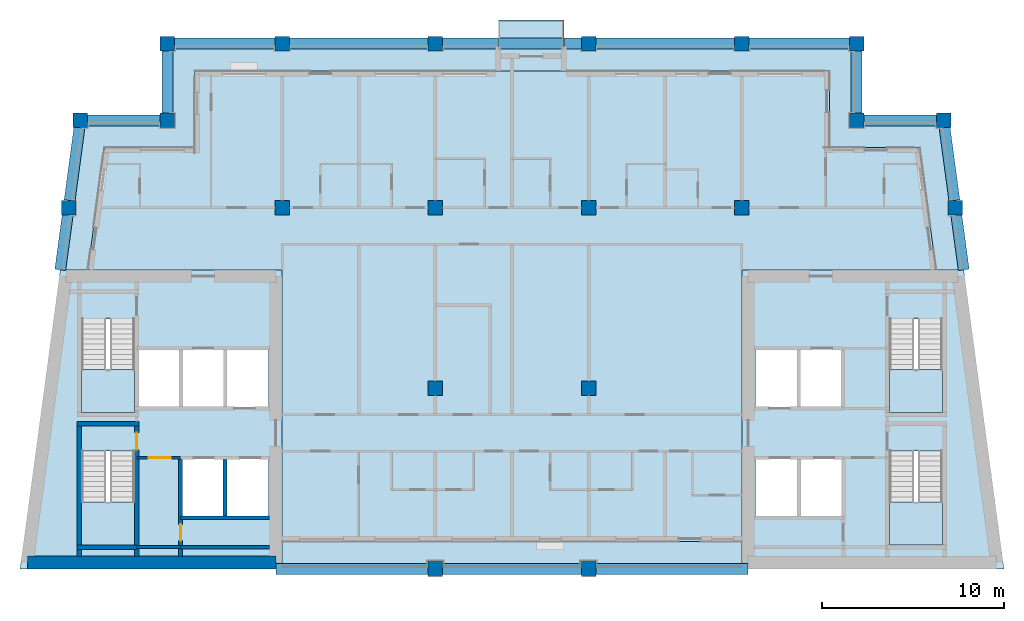
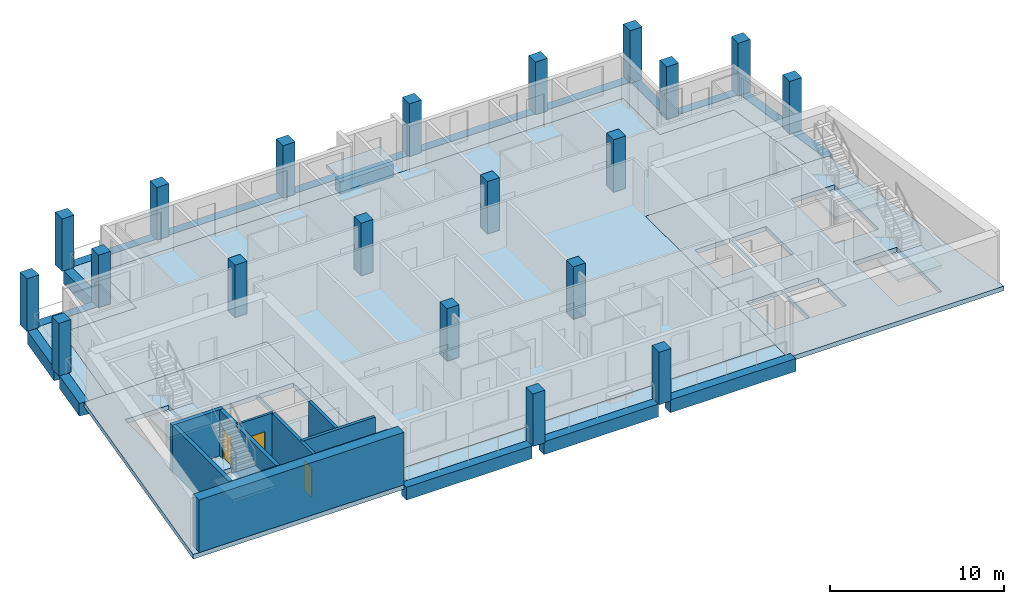
# One storey, part 1 of 10: 20 columns, 18 beams, 11 walls, 10 slabs, 3 doors, 3 openings, 4 elements without a shape of their own.
"""IFC4 building model written with IfcOpenShell, lengths in metres."""

from ifc_helpers import new_model, si_unit, direction, frame, frame_2d, origin, origin_2d, place, context, subcontext, project, spatial, polyline, rectangle, outline, extrude, material, layer, layer_set, material_profile, profile_set, type_object, element, fill, aggregate, save


model = new_model("IFC4")

# Units and contexts
model_context = context("Model", 3, precision=1e-05, world=origin(), true_north=direction((0.0, 1.0)))
body_context = subcontext(model_context, "Body", "Model", "MODEL_VIEW")
ifc_project = project(units=[si_unit("LENGTHUNIT", "METRE"), si_unit("AREAUNIT", "SQUARE_METRE"), si_unit("VOLUMEUNIT", "CUBIC_METRE"), si_unit("PLANEANGLEUNIT", "RADIAN"), si_unit("MASSUNIT", "GRAM", prefix="KILO")], contexts=[model_context])

# Site, building, storey
site_placement = place(None, origin())
site = spatial("IfcSite", under=ifc_project, at=site_placement, CompositionType="ELEMENT")
building_placement = place(site_placement, origin())
building = spatial("IfcBuilding", under=site, at=building_placement, Name="Candeia Pilgrim Tower and Theatre", CompositionType="ELEMENT")
storey_placement = place(building_placement, frame((0.0, 0.0, 299.699951171875)))
storey = spatial("IfcBuildingStorey", under=building, at=storey_placement, Name="L73", CompositionType="ELEMENT", Elevation=299.699951171875)

# Columns
ifc_material_1 = material(Name="Concrete C40/50", Category="concrete")
ifc_material_profile_1 = material_profile(ifc_material_1, rectangle(XDim=0.800048828125, YDim=0.800048828125, at=origin_2d()))
ifc_profile_set_1 = profile_set([ifc_material_profile_1], Name="Concrete C40/50")
column_type = type_object("IfcColumnType", Name="RC 800x800 C40/50", PredefinedType="COLUMN", material=ifc_profile_set_1)
for number, where, z_axis, x_axis, name in (
    (1, (94.5, 140.60009765625, 0.0), (0.0, 0.0, 1.0), (1.0, 0.0, 0.0), "Column NNW"),
    (2, (132.300048828125, 140.60009765625, 0.0), (0.0, 0.0, 1.0), (1.0, 0.0, 0.0), "Column NNE"),
    (3, (89.734619140625, 140.60009765625, 0.0), (0.0, 0.0, 1.0), (1.0, 0.0, 0.0), "Column LNW"),
    (4, (137.0654296875, 140.60009765625, 0.0), (0.0, 0.0, 1.0), (1.0, 0.0, 0.0), "Column LNE"),
    (5, (109.199951171875, 116.0, 0.0), (0.0, 0.0, 1.0), (1.0, 0.0, 0.0), "Column C3"),
    (6, (117.60009765625, 116.0, 0.0), (0.0, 0.0, 1.0), (1.0, 0.0, 0.0), "Column C4"),
    (7, (109.199951171875, 125.89990234375, 0.0), (0.0, 0.0, 1.0), (1.0, 0.0, 0.0), "Column D3"),
    (8, (117.60009765625, 125.89990234375, 0.0), (0.0, 0.0, 1.0), (1.0, 0.0, 0.0), "Column D4"),
    (9, (100.800048828125, 135.800048828125, 0.0), (0.0, 0.0, 1.0), (1.0, 0.0, 0.0), "Column E2"),
    (10, (109.199951171875, 135.800048828125, 0.0), (0.0, 0.0, 1.0), (1.0, 0.0, 0.0), "Column E3"),
    (11, (117.60009765625, 135.800048828125, 0.0), (0.0, 0.0, 1.0), (1.0, 0.0, 0.0), "Column E4"),
    (12, (126.0, 135.800048828125, 0.0), (0.0, 0.0, 1.0), (1.0, 0.0, 0.0), "Column E5"),
    (13, (89.08837890625, 135.800048828125, 0.0), (0.0, 0.0, 1.0), (1.0, 0.0, 0.0), "Column EW"),
    (14, (137.71142578125, 135.800048828125, 0.0), (0.0, 0.0, 1.0), (1.0, 0.0, 0.0), "Column EE"),
    (15, (100.800048828125, 144.800048828125, 0.0), (0.0, 0.0, 1.0), (1.0, 0.0, 0.0), "Column F2"),
    (16, (109.199951171875, 144.800048828125, 0.0), (0.0, 0.0, 1.0), (1.0, 0.0, 0.0), "Column F3"),
    (17, (117.60009765625, 144.800048828125, 0.0), (0.0, 0.0, 1.0), (1.0, 0.0, 0.0), "Column F4"),
    (18, (126.0, 144.800048828125, 0.0), (0.0, 0.0, 1.0), (1.0, 0.0, 0.0), "Column F5"),
    (19, (94.5, 144.800048828125, 0.0), (0.0, 0.0, 1.0), (1.0, 0.0, 0.0), "Column FW"),
    (20, (132.300048828125, 144.800048828125, 0.0), (0.0, 0.0, 1.0), (1.0, 0.0, 0.0), "Column FE"),
):
    element("IfcColumn", number, at=place(storey_placement, frame(where, z_axis=z_axis, x_axis=x_axis)), inside=storey, type_object=column_type, Name=name, PredefinedType="COLUMN", context=body_context, shape_type="SweptSolid", body=[
        extrude(rectangle(XDim=0.800048828125, YDim=0.800048828125, at=origin_2d()), origin(), (0.0, 0.0, 1.0), 3.699951171875),
    ])

# Beams
ifc_material_profile_2 = material_profile(ifc_material_1, rectangle(XDim=0.60009765625, YDim=0.89990234375, at=origin_2d()))
ifc_profile_set_2 = profile_set([ifc_material_profile_2], Name="Concrete C40/50")
beam_type = type_object("IfcBeamType", Name="RC 600x900 C40/50", PredefinedType="BEAM", material=ifc_profile_set_2)
beam_1_placement = place(storey_placement, frame((90.134521484375, 140.60009765625, -0.449951171875), z_axis=(1.0, 0.0, 0.0), x_axis=(0.0, 1.0, 0.0)))
element("IfcBeam", 21, at=beam_1_placement, inside=storey, type_object=beam_type, Name="Spandrel beam L73-01", PredefinedType="BEAM", context=body_context, shape_type="SweptSolid", body=[
    extrude(rectangle(XDim=0.60009765625, YDim=0.89990234375, at=origin_2d()), origin(), (0.0, 0.0, 1.0), 3.965576171875),
])
beam_2_placement = place(storey_placement, frame((94.5, 141.0, -0.449951171875), z_axis=(0.0, 1.0, 0.0), x_axis=(-1.0, 0.0, 0.0)))
element("IfcBeam", 22, at=beam_2_placement, inside=storey, type_object=beam_type, Name="Spandrel beam L73-02", PredefinedType="BEAM", context=body_context, shape_type="SweptSolid", body=[
    extrude(rectangle(XDim=0.60009765625, YDim=0.89990234375, at=origin_2d()), origin(), (0.0, 0.0, 1.0), 3.39990234375),
])
beam_3_placement = place(storey_placement, frame((94.89990234375, 144.800048828125, -0.449951171875), z_axis=(1.0, 0.0, 0.0), x_axis=(0.0, 1.0, 0.0)))
element("IfcBeam", 23, at=beam_3_placement, inside=storey, type_object=beam_type, Name="Spandrel beam L73-03", PredefinedType="BEAM", context=body_context, shape_type="SweptSolid", body=[
    extrude(rectangle(XDim=0.60009765625, YDim=0.89990234375, at=origin_2d()), origin(), (0.0, 0.0, 1.0), 5.5),
])
beam_4_placement = place(storey_placement, frame((101.199951171875, 144.800048828125, -0.449951171875), z_axis=(1.0, 0.0, 0.0), x_axis=(0.0, 1.0, 0.0)))
element("IfcBeam", 24, at=beam_4_placement, inside=storey, type_object=beam_type, Name="Spandrel beam L73-04", PredefinedType="BEAM", context=body_context, shape_type="SweptSolid", body=[
    extrude(rectangle(XDim=0.60009765625, YDim=0.89990234375, at=origin_2d()), origin(), (0.0, 0.0, 1.0), 7.60009765625),
])
beam_5_placement = place(storey_placement, frame((109.60009765625, 144.800048828125, -0.449951171875), z_axis=(1.0, 0.0, 0.0), x_axis=(0.0, 1.0, 0.0)))
element("IfcBeam", 25, at=beam_5_placement, inside=storey, type_object=beam_type, Name="Spandrel beam L73-05", PredefinedType="BEAM", context=body_context, shape_type="SweptSolid", body=[
    extrude(rectangle(XDim=0.60009765625, YDim=0.89990234375, at=origin_2d()), origin(), (0.0, 0.0, 1.0), 3.0498046875),
])
beam_6_placement = place(storey_placement, frame((112.64990234375, 144.800048828125, -0.699951171875), z_axis=(1.0, 0.0, 0.0), x_axis=(0.0, 1.0, 0.0)))
element("IfcBeam", 26, at=beam_6_placement, inside=storey, type_object=beam_type, Name="Spandrel beam L73-06", PredefinedType="BEAM", context=body_context, shape_type="SweptSolid", body=[
    extrude(rectangle(XDim=0.60009765625, YDim=0.89990234375, at=origin_2d()), origin(), (0.0, 0.0, 1.0), 3.60009765625),
])
beam_7_placement = place(storey_placement, frame((116.25, 144.800048828125, -0.449951171875), z_axis=(1.0, 0.0, 0.0), x_axis=(0.0, 1.0, 0.0)))
element("IfcBeam", 27, at=beam_7_placement, inside=storey, type_object=beam_type, Name="Spandrel beam L73-07", PredefinedType="BEAM", context=body_context, shape_type="SweptSolid", body=[
    extrude(rectangle(XDim=0.60009765625, YDim=0.89990234375, at=origin_2d()), origin(), (0.0, 0.0, 1.0), 0.949951171875),
])
beam_8_placement = place(storey_placement, frame((118.0, 144.800048828125, -0.449951171875), z_axis=(1.0, 0.0, 0.0), x_axis=(0.0, 1.0, 0.0)))
element("IfcBeam", 28, at=beam_8_placement, inside=storey, type_object=beam_type, Name="Spandrel beam L73-08", PredefinedType="BEAM", context=body_context, shape_type="SweptSolid", body=[
    extrude(rectangle(XDim=0.60009765625, YDim=0.89990234375, at=origin_2d()), origin(), (0.0, 0.0, 1.0), 7.60009765625),
])
beam_9_placement = place(storey_placement, frame((126.39990234375, 144.800048828125, -0.449951171875), z_axis=(1.0, 0.0, 0.0), x_axis=(0.0, 1.0, 0.0)))
element("IfcBeam", 29, at=beam_9_placement, inside=storey, type_object=beam_type, Name="Spandrel beam L73-09", PredefinedType="BEAM", context=body_context, shape_type="SweptSolid", body=[
    extrude(rectangle(XDim=0.60009765625, YDim=0.89990234375, at=origin_2d()), origin(), (0.0, 0.0, 1.0), 5.5),
])
beam_10_placement = place(storey_placement, frame((132.300048828125, 144.39990234375, -0.449951171875), z_axis=(0.0, -1.0, 0.0), x_axis=(1.0, 0.0, 0.0)))
element("IfcBeam", 30, at=beam_10_placement, inside=storey, type_object=beam_type, Name="Spandrel beam L73-10", PredefinedType="BEAM", context=body_context, shape_type="SweptSolid", body=[
    extrude(rectangle(XDim=0.60009765625, YDim=0.89990234375, at=origin_2d()), origin(), (0.0, 0.0, 1.0), 3.39990234375),
])
beam_11_placement = place(storey_placement, frame((132.699951171875, 140.60009765625, -0.449951171875), z_axis=(1.0, 0.0, 0.0), x_axis=(0.0, 1.0, 0.0)))
element("IfcBeam", 31, at=beam_11_placement, inside=storey, type_object=beam_type, Name="Spandrel beam L73-11", PredefinedType="BEAM", context=body_context, shape_type="SweptSolid", body=[
    extrude(rectangle(XDim=0.60009765625, YDim=0.89990234375, at=origin_2d()), origin(), (0.0, 0.0, 1.0), 3.96533203125),
])
beam_12_placement = place(storey_placement, frame((137.119140625, 140.199951171875, -0.449951171875), z_axis=(0.133439433328, -0.991056969923, 0.0), x_axis=(0.991056969923, 0.133439433328, 0.0)))
element("IfcBeam", 32, at=beam_12_placement, inside=storey, type_object=beam_type, Name="Spandrel beam L73-12", PredefinedType="BEAM", context=body_context, shape_type="SweptSolid", body=[
    extrude(rectangle(XDim=0.60009765625, YDim=0.89990234375, at=origin_2d()), origin(), (0.0, 0.0, 1.0), 4.0361328125),
])
beam_13_placement = place(storey_placement, frame((137.765380859375, 135.39990234375, -0.449951171875), z_axis=(0.133399824849, -0.991062302144, 0.0), x_axis=(0.991062302144, 0.133399824849, 0.0)))
element("IfcBeam", 33, at=beam_13_placement, inside=storey, type_object=beam_type, Name="Spandrel beam L73-13", PredefinedType="BEAM", context=body_context, shape_type="SweptSolid", body=[
    extrude(rectangle(XDim=0.60009765625, YDim=0.89990234375, at=origin_2d()), origin(), (0.0, 0.0, 1.0), 3.027099609375),
])
beam_14_placement = place(storey_placement, frame((126.35009765625, 116.0, -0.449951171875), z_axis=(-1.0, 0.0, 0.0), x_axis=(0.0, -1.0, 0.0)))
element("IfcBeam", 34, at=beam_14_placement, inside=storey, type_object=beam_type, Name="Spandrel beam L73-14", PredefinedType="BEAM", context=body_context, shape_type="SweptSolid", body=[
    extrude(rectangle(XDim=0.60009765625, YDim=0.89990234375, at=origin_2d()), origin(), (0.0, 0.0, 1.0), 8.35009765625),
])
beam_15_placement = place(storey_placement, frame((117.199951171875, 116.0, -0.449951171875), z_axis=(-1.0, 0.0, 0.0), x_axis=(0.0, -1.0, 0.0)))
element("IfcBeam", 35, at=beam_15_placement, inside=storey, type_object=beam_type, Name="Spandrel beam L73-15", PredefinedType="BEAM", context=body_context, shape_type="SweptSolid", body=[
    extrude(rectangle(XDim=0.60009765625, YDim=0.89990234375, at=origin_2d()), origin(), (0.0, 0.0, 1.0), 7.599853515625),
])
beam_16_placement = place(storey_placement, frame((108.800048828125, 116.0, -0.449951171875), z_axis=(-1.0, 0.0, 0.0), x_axis=(0.0, -1.0, 0.0)))
element("IfcBeam", 36, at=beam_16_placement, inside=storey, type_object=beam_type, Name="Spandrel beam L73-16", PredefinedType="BEAM", context=body_context, shape_type="SweptSolid", body=[
    extrude(rectangle(XDim=0.60009765625, YDim=0.89990234375, at=origin_2d()), origin(), (0.0, 0.0, 1.0), 8.35009765625),
])
beam_17_placement = place(storey_placement, frame((88.630859375, 132.39990234375, -0.449951171875), z_axis=(0.133399824849, 0.991062302144, 0.0), x_axis=(-0.991062302144, 0.133399824849, 0.0)))
element("IfcBeam", 37, at=beam_17_placement, inside=storey, type_object=beam_type, Name="Spandrel beam L73-17", PredefinedType="BEAM", context=body_context, shape_type="SweptSolid", body=[
    extrude(rectangle(XDim=0.60009765625, YDim=0.89990234375, at=origin_2d()), origin(), (0.0, 0.0, 1.0), 3.027099609375),
])
beam_18_placement = place(storey_placement, frame((89.142333984375, 136.199951171875, -0.449951171875), z_axis=(0.13338002037, 0.991064967682, 0.0), x_axis=(-0.991064967682, 0.13338002037, 0.0)))
element("IfcBeam", 38, at=beam_18_placement, inside=storey, type_object=beam_type, Name="Spandrel beam L73-18", PredefinedType="BEAM", context=body_context, shape_type="SweptSolid", body=[
    extrude(rectangle(XDim=0.60009765625, YDim=0.89990234375, at=origin_2d()), origin(), (0.0, 0.0, 1.0), 4.0361328125),
])

# Slabs
ifc_layer_1 = layer(ifc_material_1, 0.25)
ifc_layer_set_1 = layer_set([ifc_layer_1], Name="BK1 balcony slab 250")
slab_type_1 = type_object("IfcSlabType", Name="BK1 balcony slab 250", PredefinedType="USERDEFINED", material=ifc_layer_set_1)
slab_1_placement = place(storey_placement, frame((0.0, 0.0, -0.25)))
element("IfcSlab", 39, at=slab_1_placement, inside=storey, type_object=slab_type_1, Name="Balcony L73", ObjectType="BALCONY", PredefinedType="USERDEFINED", context=body_context, shape_type="SweptSolid", body=[
    extrude(outline(polyline([(112.64990234375, 144.5), (116.25, 144.5), (116.25, 146.10009765625), (112.64990234375, 146.10009765625), (112.64990234375, 144.5)])), origin(), (0.0, 0.0, 1.0), 0.25),
])
ifc_material_2 = material(Name="Concrete C60/75", Category="concrete")
ifc_layer_2 = layer(ifc_material_2, 0.320068359375)
ifc_layer_set_2 = layer_set([ifc_layer_2], Name="FS-CORE 320 core floor")
slab_type_2 = type_object("IfcSlabType", Name="FS-CORE 320 core floor", PredefinedType="FLOOR", material=ifc_layer_set_2)
slab_2_placement = place(storey_placement, frame((0.0, 0.0, -0.320068359375)))
element("IfcSlab", 40, at=slab_2_placement, inside=storey, type_object=slab_type_2, Name="Core floor W L73", PredefinedType="FLOOR", context=body_context, shape_type="SweptSolid", body=[
    extrude(outline(polyline([(100.800048828125, 132.39990234375), (100.800048828125, 116.0), (86.423095703125, 116.0), (88.630859375, 132.39990234375), (100.800048828125, 132.39990234375)]), holes=[polyline([(97.71337890625, 122.050048828125), (97.71337890625, 118.85009765625), (100.050048828125, 118.85009765625), (100.050048828125, 122.050048828125), (97.71337890625, 122.050048828125)]), polyline([(97.7255859375, 128.050048828125), (97.7255859375, 124.85009765625), (100.050048828125, 124.85009765625), (100.050048828125, 128.050048828125), (97.7255859375, 128.050048828125)]), polyline([(95.30126953125, 128.050048828125), (95.30126953125, 124.85009765625), (97.625732421875, 124.85009765625), (97.625732421875, 128.050048828125), (95.30126953125, 128.050048828125)]), polyline([(95.277099609375, 122.050048828125), (95.277099609375, 118.85009765625), (97.613525390625, 118.85009765625), (97.613525390625, 122.050048828125), (95.277099609375, 122.050048828125)]), polyline([(92.876953125, 128.050048828125), (92.876953125, 124.85009765625), (95.201416015625, 124.85009765625), (95.201416015625, 128.050048828125), (92.876953125, 128.050048828125)]), polyline([(89.802001953125, 117.324951171875), (92.701904296875, 117.324951171875), (92.701904296875, 122.455078125), (89.802001953125, 122.455078125), (89.802001953125, 117.324951171875)]), polyline([(89.802001953125, 129.705078125), (89.802001953125, 124.574951171875), (92.701904296875, 124.574951171875), (92.701904296875, 129.705078125), (89.802001953125, 129.705078125)])]), origin(), (0.0, 0.0, 1.0), 0.320068359375),
])
slab_3_placement = place(storey_placement, frame((0.0, 0.0, -0.320068359375)))
element("IfcSlab", 41, at=slab_3_placement, inside=storey, type_object=slab_type_2, Name="Core floor E L73", PredefinedType="FLOOR", context=body_context, shape_type="SweptSolid", body=[
    extrude(outline(polyline([(138.169189453125, 132.39990234375), (140.376953125, 116.0), (126.0, 116.0), (126.0, 132.39990234375), (138.169189453125, 132.39990234375)]), holes=[polyline([(134.097900390625, 117.324951171875), (136.998046875, 117.324951171875), (136.998046875, 122.455078125), (134.097900390625, 122.455078125), (134.097900390625, 117.324951171875)]), polyline([(134.097900390625, 129.705078125), (134.097900390625, 124.574951171875), (136.998046875, 124.574951171875), (136.998046875, 129.705078125), (134.097900390625, 129.705078125)]), polyline([(131.52294921875, 122.050048828125), (129.1865234375, 122.050048828125), (129.1865234375, 118.85009765625), (131.52294921875, 118.85009765625), (131.52294921875, 122.050048828125)]), polyline([(131.498779296875, 128.050048828125), (129.17431640625, 128.050048828125), (129.17431640625, 124.85009765625), (131.498779296875, 124.85009765625), (131.498779296875, 128.050048828125)]), polyline([(129.08642578125, 122.050048828125), (126.75, 122.050048828125), (126.75, 118.85009765625), (129.08642578125, 118.85009765625), (129.08642578125, 122.050048828125)]), polyline([(126.75, 128.050048828125), (126.75, 124.85009765625), (129.07421875, 124.85009765625), (129.07421875, 128.050048828125), (126.75, 128.050048828125)])]), origin(), (0.0, 0.0, 1.0), 0.320068359375),
])
ifc_material_3 = material(Name="Concrete C50/60", Category="concrete")
ifc_layer_3 = layer(ifc_material_3, 0.320068359375)
ifc_layer_set_3 = layer_set([ifc_layer_3], Name="Floor slab 320 C50/60")
slab_type_3 = type_object("IfcSlabType", Name="Floor slab 320 C50/60", PredefinedType="FLOOR", material=ifc_layer_set_3)
slab_4_placement = place(storey_placement, frame((0.0, 0.0, -0.320068359375)))
element("IfcSlab", 42, at=slab_4_placement, inside=storey, type_object=slab_type_3, Name="Floor slab L73", PredefinedType="FLOOR", context=body_context, shape_type="SweptSolid", body=[
    extrude(outline(polyline([(96.0, 139.10009765625), (96.0, 143.300048828125), (130.800048828125, 143.300048828125), (130.800048828125, 139.10009765625), (135.753662109375, 139.10009765625), (136.65576171875, 132.39990234375), (126.0, 132.39990234375), (126.0, 117.5), (100.800048828125, 117.5), (100.800048828125, 132.39990234375), (90.144287109375, 132.39990234375), (91.046142578125, 139.10009765625), (96.0, 139.10009765625)])), origin(), (0.0, 0.0, 1.0), 0.320068359375),
])
ifc_layer_4 = layer(ifc_material_1, 0.25)
ifc_layer_set_4 = layer_set([ifc_layer_4], Name="Loggia slab 250 C40/50")
slab_type_4 = type_object("IfcSlabType", Name="Loggia slab 250 C40/50", PredefinedType="FLOOR", material=ifc_layer_set_4)
slab_5_placement = place(storey_placement, frame((0.0, 0.0, -0.25)))
element("IfcSlab", 43, at=slab_5_placement, inside=storey, type_object=slab_type_4, Name="Loggia slab L73 1", PredefinedType="FLOOR", context=body_context, shape_type="SweptSolid", body=[
    extrude(outline(polyline([(100.800048828125, 117.5), (126.0, 117.5), (126.0, 116.300048828125), (100.800048828125, 116.300048828125), (100.800048828125, 117.5)])), origin(), (0.0, 0.0, 1.0), 0.25),
])
slab_6_placement = place(storey_placement, frame((0.0, 0.0, -0.25)))
element("IfcSlab", 44, at=slab_6_placement, inside=storey, type_object=slab_type_4, Name="Loggia slab L73 2", PredefinedType="FLOOR", context=body_context, shape_type="SweptSolid", body=[
    extrude(outline(polyline([(136.65576171875, 132.39990234375), (135.753662109375, 139.10009765625), (130.800048828125, 139.10009765625), (130.800048828125, 143.300048828125), (96.0, 143.300048828125), (96.0, 139.10009765625), (91.046142578125, 139.10009765625), (90.144287109375, 132.39990234375), (88.93359375, 132.39990234375), (89.996826171875, 140.300048828125), (94.800048828125, 140.300048828125), (94.800048828125, 144.5), (132.0, 144.5), (132.0, 140.300048828125), (136.802978515625, 140.300048828125), (137.866455078125, 132.39990234375), (136.65576171875, 132.39990234375)])), origin(), (0.0, 0.0, 1.0), 0.25),
])

# Stair, slab
stair_type = type_object("IfcStairType", Name="ST-TWR dog-leg escape stair", PredefinedType="HALF_TURN_STAIR", material=ifc_material_1)
stair_1_placement = place(storey_placement, origin())
stair_1 = element("IfcStair", 45, at=stair_1_placement, inside=storey, type_object=stair_type, Name="L73 Escape stair ST1", PredefinedType="HALF_TURN_STAIR")
ifc_layer_5 = layer(ifc_material_1, 0.199951171875)
ifc_layer_set_5 = layer_set([ifc_layer_5], Name="SL-LANDING stair landing")
slab_type_5 = type_object("IfcSlabType", Name="SL-LANDING stair landing", PredefinedType="LANDING", material=ifc_layer_set_5)
slab_7_placement = place(storey_placement, frame((0.0, 0.0, 1.650146484375)))
slab_7 = element("IfcSlab", 46, at=slab_7_placement, type_object=slab_type_5, Name="ST1 landing 1", PredefinedType="LANDING", context=body_context, shape_type="SweptSolid", body=[
    extrude(outline(polyline([(89.802001953125, 119.675048828125), (89.802001953125, 117.324951171875), (92.701904296875, 117.324951171875), (92.701904296875, 119.675048828125), (89.802001953125, 119.675048828125)])), origin(), (0.0, 0.0, 1.0), 0.199951171875),
])
aggregate(stair_1, [slab_7])

stair_2_placement = place(storey_placement, origin())
stair_2 = element("IfcStair", 47, at=stair_2_placement, inside=storey, type_object=stair_type, Name="L73 Escape stair ST2", PredefinedType="HALF_TURN_STAIR")
slab_8_placement = place(storey_placement, frame((0.0, 0.0, 1.650146484375)))
slab_8 = element("IfcSlab", 48, at=slab_8_placement, type_object=slab_type_5, Name="ST2 landing 1", PredefinedType="LANDING", context=body_context, shape_type="SweptSolid", body=[
    extrude(outline(polyline([(89.802001953125, 126.925048828125), (89.802001953125, 124.574951171875), (92.701904296875, 124.574951171875), (92.701904296875, 126.925048828125), (89.802001953125, 126.925048828125)])), origin(), (0.0, 0.0, 1.0), 0.199951171875),
])
aggregate(stair_2, [slab_8])

stair_3_placement = place(storey_placement, origin())
stair_3 = element("IfcStair", 49, at=stair_3_placement, inside=storey, type_object=stair_type, Name="L73 Escape stair ST3", PredefinedType="HALF_TURN_STAIR")
slab_9_placement = place(storey_placement, frame((0.0, 0.0, 1.650146484375)))
slab_9 = element("IfcSlab", 50, at=slab_9_placement, type_object=slab_type_5, Name="ST3 landing 1", PredefinedType="LANDING", context=body_context, shape_type="SweptSolid", body=[
    extrude(outline(polyline([(134.097900390625, 119.675048828125), (134.097900390625, 117.324951171875), (136.998046875, 117.324951171875), (136.998046875, 119.675048828125), (134.097900390625, 119.675048828125)])), origin(), (0.0, 0.0, 1.0), 0.199951171875),
])
aggregate(stair_3, [slab_9])

stair_4_placement = place(storey_placement, origin())
stair_4 = element("IfcStair", 51, at=stair_4_placement, inside=storey, type_object=stair_type, Name="L73 Escape stair ST4", PredefinedType="HALF_TURN_STAIR")
slab_10_placement = place(storey_placement, frame((0.0, 0.0, 1.650146484375)))
slab_10 = element("IfcSlab", 52, at=slab_10_placement, type_object=slab_type_5, Name="ST4 landing 1", PredefinedType="LANDING", context=body_context, shape_type="SweptSolid", body=[
    extrude(outline(polyline([(134.097900390625, 126.925048828125), (134.097900390625, 124.574951171875), (136.998046875, 124.574951171875), (136.998046875, 126.925048828125), (134.097900390625, 126.925048828125)])), origin(), (0.0, 0.0, 1.0), 0.199951171875),
])
aggregate(stair_4, [slab_10])

# Walls
ifc_layer_6 = layer(ifc_material_1, 0.699951171875)
ifc_layer_set_6 = layer_set([ifc_layer_6], Name="Core wall 700 C40/50")
wall_type_1 = type_object("IfcWallType", Name="Core wall 700 C40/50", PredefinedType="SHEAR", material=ifc_layer_set_6)
wall_1_placement = place(storey_placement, frame((100.449951171875, 116.35009765625, 0.0), z_axis=(0.0, 0.0, 1.0), x_axis=(-1.0, 0.0, 0.0)))
element("IfcWall", 53, at=wall_1_placement, inside=storey, type_object=wall_type_1, Name="Core wall W3", PredefinedType="SHEAR", context=body_context, shape_type="SweptSolid", body=[
    extrude(rectangle(XDim=13.626708984375, YDim=0.699951171875, at=frame_2d((6.8134765625, 0.0))), origin(), (0.0, 0.0, 1.0), 3.699951171875),
])
ifc_material_4 = material(Name="Gypsum board partition on steel studs", Category="steel")
ifc_layer_7 = layer(ifc_material_4, 0.14990234375)
ifc_layer_set_7 = layer_set([ifc_layer_7], Name="PW-150 lobby wall")
wall_type_2 = type_object("IfcWallType", Name="PW-150 lobby wall", PredefinedType="PARTITIONING", material=ifc_layer_set_7)
wall_2_placement = place(storey_placement, frame((92.826904296875, 117.199951171875, 0.0), z_axis=(0.0, 0.0, 1.0), x_axis=(1.0, 0.0, 0.0)))
element("IfcWall", 54, at=wall_2_placement, inside=storey, type_object=wall_type_2, Name="Lobby wall L73-003", PredefinedType="PARTITIONING", context=body_context, shape_type="SweptSolid", body=[
    extrude(rectangle(XDim=2.400146484375, YDim=0.14990234375, at=frame_2d((1.2001953125, 0.0))), origin(), (0.0, 0.0, 1.0), 3.25),
])

# Wall, opening, door
wall_3_placement = place(storey_placement, frame((92.826904296875, 122.10009765625, 0.0), z_axis=(0.0, 0.0, 1.0), x_axis=(1.0, 0.0, 0.0)))
wall_3 = element("IfcWall", 55, at=wall_3_placement, inside=storey, type_object=wall_type_2, Name="Lobby wall L73-014", PredefinedType="PARTITIONING", context=body_context, shape_type="SweptSolid", body=[
    extrude(rectangle(XDim=2.400146484375, YDim=0.14990234375, at=frame_2d((1.2001953125, 0.0))), origin(), (0.0, 0.0, 1.0), 3.25),
])
opening_1_placement = place(wall_3_placement, frame((0.64990234375, 0.0, 0.0)))
opening_1 = element("IfcOpeningElement", 56, at=opening_1_placement, cuts=wall_3, Name="Opening L73-D001", PredefinedType="OPENING", context=body_context, shape_type="SweptSolid", body=[
    extrude(rectangle(XDim=1.199951171875, YDim=2.10009765625, at=frame_2d((0.60009765625, 1.050048828125))), frame((0.0, 0.0849609375, 0.0), z_axis=(0.0, -1.0, 0.0), x_axis=(1.0, 0.0, 0.0)), (0.0, 0.0, 1.0), 0.169921875),
])
ifc_material_5 = material(Name="Steel fire door set", Category="steel")
door_type_1 = type_object("IfcDoorType", Name="D-1200-FD60", OperationType="NOTDEFINED", PredefinedType="DOOR", material=ifc_material_5)
door_1_placement = place(opening_1_placement, origin())
door_1 = element("IfcDoor", 57, at=door_1_placement, inside=storey, type_object=door_type_1, Name="Door L73-D001", OperationType="SINGLE_SWING_RIGHT", OverallHeight=2.10009765625, OverallWidth=1.199951171875, PredefinedType="DOOR", context=body_context, shape_type="SweptSolid", body=[
    extrude(rectangle(XDim=1.199951171875, YDim=2.10009765625, at=frame_2d((0.60009765625, 1.050048828125))), frame((0.0, 0.02490234375, 0.0), z_axis=(0.0, -1.0, 0.0), x_axis=(1.0, 0.0, 0.0)), (0.0, 0.0, 1.0), 0.050048828125),
])
fill(opening_1, door_1)

# Walls
ifc_layer_8 = layer(ifc_material_1, 0.199951171875)
ifc_layer_set_8 = layer_set([ifc_layer_8], Name="SW-200 shaft wall")
wall_type_3 = type_object("IfcWallType", Name="SW-200 shaft wall", PredefinedType="PARTITIONING", material=ifc_layer_set_8)
for number, where, z_axis, x_axis, name in (
    (58, (95.22705078125, 117.199951171875, 0.0), (0.0, 0.0, 1.0), (1.0, 0.0, 0.0), "Shaft wall L73-001"),
    (59, (95.22705078125, 118.800048828125, 0.0), (0.0, 0.0, 1.0), (1.0, 0.0, 0.0), "Shaft wall L73-007"),
):
    element("IfcWall", number, at=place(storey_placement, frame(where, z_axis=z_axis, x_axis=x_axis)), inside=storey, type_object=wall_type_3, Name=name, PredefinedType="PARTITIONING", context=body_context, shape_type="SweptSolid", body=[
        extrude(rectangle(XDim=4.873046875, YDim=0.199951171875, at=frame_2d((2.4365234375, 0.0))), origin(), (0.0, 0.0, 1.0), 3.25),
    ])

# Wall, opening, door
wall_4_placement = place(storey_placement, frame((95.22705078125, 116.669921875, 0.0), z_axis=(0.0, 0.0, 1.0), x_axis=(0.0, 1.0, 0.0)))
wall_4 = element("IfcWall", 60, at=wall_4_placement, inside=storey, type_object=wall_type_3, Name="Shaft wall L73-046", PredefinedType="PARTITIONING", context=body_context, shape_type="SweptSolid", body=[
    extrude(rectangle(XDim=5.330078125, YDim=0.199951171875, at=frame_2d((2.6650390625, 0.0))), origin(), (0.0, 0.0, 1.0), 3.25),
])
opening_2_placement = place(wall_4_placement, frame((0.8798828125, 0.0, 0.0)))
opening_2 = element("IfcOpeningElement", 61, at=opening_2_placement, cuts=wall_4, Name="Opening L73-D004", PredefinedType="OPENING", context=body_context, shape_type="SweptSolid", body=[
    extrude(rectangle(XDim=0.89990234375, YDim=2.10009765625, at=frame_2d((0.449951171875, 1.050048828125))), frame((0.0, 0.10986328125, 0.0), z_axis=(0.0, -1.0, 0.0), x_axis=(1.0, 0.0, 0.0)), (0.0, 0.0, 1.0), 0.219970703125),
])
door_type_2 = type_object("IfcDoorType", Name="D-900-FD60", OperationType="NOTDEFINED", PredefinedType="DOOR", material=ifc_material_5)
door_2_placement = place(opening_2_placement, origin())
door_2 = element("IfcDoor", 62, at=door_2_placement, inside=storey, type_object=door_type_2, Name="Door L73-D004", OperationType="SINGLE_SWING_LEFT", OverallHeight=2.10009765625, OverallWidth=0.89990234375, PredefinedType="DOOR", context=body_context, shape_type="SweptSolid", body=[
    extrude(rectangle(XDim=0.89990234375, YDim=2.10009765625, at=frame_2d((0.449951171875, 1.050048828125))), frame((0.0, 0.02490234375, 0.0), z_axis=(0.0, -1.0, 0.0), x_axis=(1.0, 0.0, 0.0)), (0.0, 0.0, 1.0), 0.050048828125),
])
fill(opening_2, door_2)

# Walls
wall_5_placement = place(storey_placement, frame((97.66357421875, 118.89990234375, 0.0), z_axis=(0.0, 0.0, 1.0), x_axis=(0.0, 1.0, 0.0)))
element("IfcWall", 63, at=wall_5_placement, inside=storey, type_object=wall_type_3, Name="Shaft wall L73-049", PredefinedType="PARTITIONING", context=body_context, shape_type="SweptSolid", body=[
    extrude(rectangle(XDim=3.10009765625, YDim=0.199951171875, at=frame_2d((1.550048828125, 0.0))), origin(), (0.0, 0.0, 1.0), 3.25),
])
ifc_layer_9 = layer(ifc_material_1, 0.25)
ifc_layer_set_9 = layer_set([ifc_layer_9], Name="SW-250 stair wall")
wall_type_4 = type_object("IfcWallType", Name="SW-250 stair wall", PredefinedType="PARTITIONING", material=ifc_layer_set_9)
wall_6_placement = place(storey_placement, frame((89.552001953125, 117.199951171875, 0.0), z_axis=(0.0, 0.0, 1.0), x_axis=(1.0, 0.0, 0.0)))
element("IfcWall", 64, at=wall_6_placement, inside=storey, type_object=wall_type_4, Name="Stair wall L73-005", PredefinedType="PARTITIONING", context=body_context, shape_type="SweptSolid", body=[
    extrude(rectangle(XDim=3.27490234375, YDim=0.25, at=frame_2d((1.637451171875, 0.0))), origin(), (0.0, 0.0, 1.0), 3.25),
])
wall_7_placement = place(storey_placement, frame((89.552001953125, 123.949951171875, 0.0), z_axis=(0.0, 0.0, 1.0), x_axis=(1.0, 0.0, 0.0)))
element("IfcWall", 65, at=wall_7_placement, inside=storey, type_object=wall_type_4, Name="Stair wall L73-017", PredefinedType="PARTITIONING", context=body_context, shape_type="SweptSolid", body=[
    extrude(rectangle(XDim=3.39990234375, YDim=0.25, at=frame_2d((1.699951171875, 0.0))), origin(), (0.0, 0.0, 1.0), 3.25),
])
wall_8_placement = place(storey_placement, frame((89.677001953125, 116.669921875, 0.0), z_axis=(0.0, 0.0, 1.0), x_axis=(0.0, 1.0, 0.0)))
element("IfcWall", 66, at=wall_8_placement, inside=storey, type_object=wall_type_4, Name="Stair wall L73-040", PredefinedType="PARTITIONING", context=body_context, shape_type="SweptSolid", body=[
    extrude(rectangle(XDim=7.155029296875, YDim=0.25, at=frame_2d((3.57763671875, 0.0))), origin(), (0.0, 0.0, 1.0), 3.25),
])

# Wall, opening, door
wall_9_placement = place(storey_placement, frame((92.826904296875, 116.669921875, 0.0), z_axis=(0.0, 0.0, 1.0), x_axis=(0.0, 1.0, 0.0)))
wall_9 = element("IfcWall", 67, at=wall_9_placement, inside=storey, type_object=wall_type_4, Name="Stair wall L73-043", PredefinedType="PARTITIONING", context=body_context, shape_type="SweptSolid", body=[
    extrude(rectangle(XDim=7.155029296875, YDim=0.25, at=frame_2d((3.57763671875, 0.0))), origin(), (0.0, 0.0, 1.0), 3.25),
])
opening_3_placement = place(wall_9_placement, frame((5.85498046875, 0.0, 0.0)))
opening_3 = element("IfcOpeningElement", 68, at=opening_3_placement, cuts=wall_9, Name="Opening L73-D002", PredefinedType="OPENING", context=body_context, shape_type="SweptSolid", body=[
    extrude(rectangle(XDim=0.949951171875, YDim=2.10009765625, at=frame_2d((0.47509765625, 1.050048828125))), frame((0.0, 0.135009765625, 0.0), z_axis=(0.0, -1.0, 0.0), x_axis=(1.0, 0.0, 0.0)), (0.0, 0.0, 1.0), 0.27001953125),
])
door_type_3 = type_object("IfcDoorType", Name="D-950-FD60", OperationType="NOTDEFINED", PredefinedType="DOOR", material=ifc_material_5)
door_3_placement = place(opening_3_placement, origin())
door_3 = element("IfcDoor", 69, at=door_3_placement, inside=storey, type_object=door_type_3, Name="Door L73-D002", OperationType="SINGLE_SWING_LEFT", OverallHeight=2.10009765625, OverallWidth=0.949951171875, PredefinedType="DOOR", context=body_context, shape_type="SweptSolid", body=[
    extrude(rectangle(XDim=0.949951171875, YDim=2.10009765625, at=frame_2d((0.47509765625, 1.050048828125))), frame((0.0, 0.02490234375, 0.0), z_axis=(0.0, -1.0, 0.0), x_axis=(1.0, 0.0, 0.0)), (0.0, 0.0, 1.0), 0.050048828125),
])
fill(opening_3, door_3)

save(model, "model.ifc")
